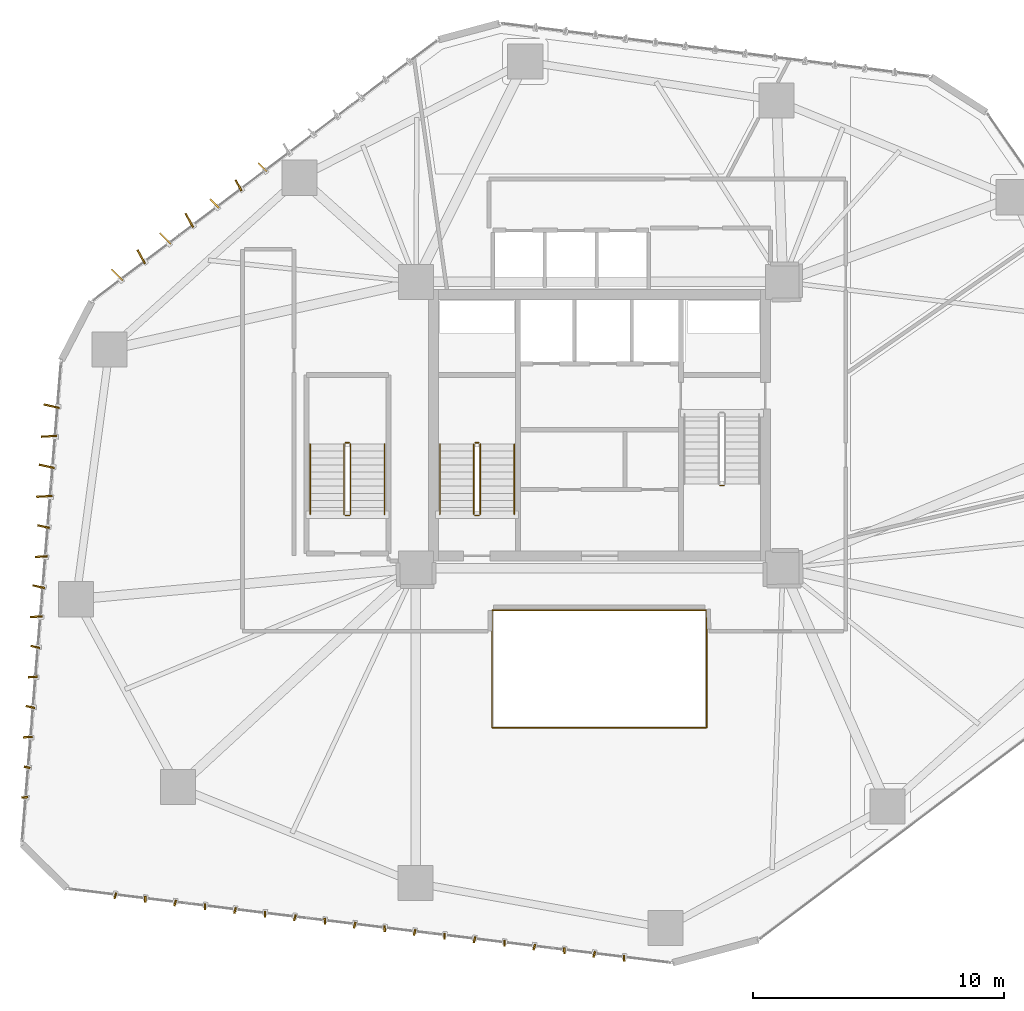
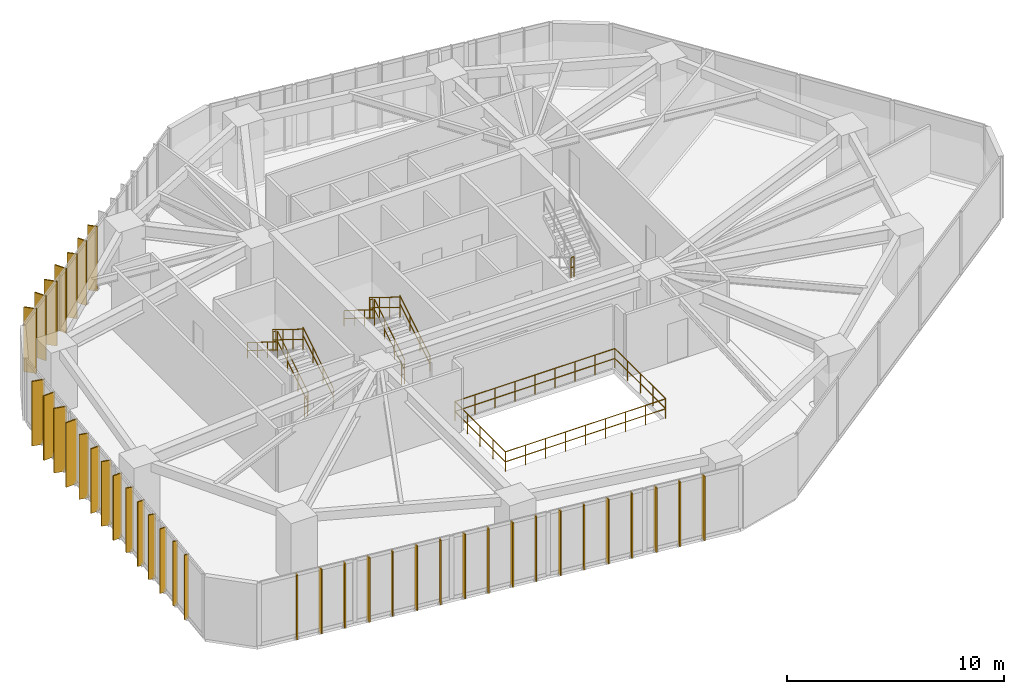
# One storey, part 21 of 23: 39 shading devices, 17 railings.
"""IFC4 building model written with IfcOpenShell, lengths in metres."""

from ifc_helpers import new_model, si_unit, direction, frame, origin, origin_2d, place, context, subcontext, project, spatial, rectangle, circle, extrude, source, transform, mapped, material, layer, layer_set, type_object, type_shapes, element, save


model = new_model("IFC4")

# Units and contexts
model_context = context("Model", 3, precision=1e-05, world=origin(), true_north=direction((0.0, 1.0)))
body_context = subcontext(model_context, "Body", "Model", "MODEL_VIEW")
ifc_project = project(units=[si_unit("LENGTHUNIT", "METRE"), si_unit("AREAUNIT", "SQUARE_METRE"), si_unit("VOLUMEUNIT", "CUBIC_METRE"), si_unit("PLANEANGLEUNIT", "RADIAN"), si_unit("MASSUNIT", "GRAM", prefix="KILO")], contexts=[model_context])

# Site, building, storey
site_placement = place(None, origin())
site = spatial("IfcSite", under=ifc_project, at=site_placement, CompositionType="ELEMENT")
building_placement = place(site_placement, origin())
building = spatial("IfcBuilding", under=site, at=building_placement, Name="Talar Marvaseh", CompositionType="ELEMENT")
storey_placement = place(building_placement, frame((0.0, 0.0, 69.60009765625)))
storey = spatial("IfcBuildingStorey", under=building, at=storey_placement, Name="L17", CompositionType="ELEMENT", Elevation=69.60009765625)

# Railings
ifc_material_1 = material(Name="Stainless Steel Grade 316", Category="steel")
railing_type_1 = type_object("IfcRailingType", Name="Brushed Stainless Wall Pitch Handrail 900", PredefinedType="HANDRAIL", material=ifc_material_1)
railing_1_placement = place(storey_placement, frame((22.610107421875, 27.64990234375, 0.172607421875)))
element("IfcRailing", 1, at=railing_1_placement, inside=storey, type_object=railing_type_1, Name="L17 ST-1 stair handrail 1", PredefinedType="HANDRAIL", context=body_context, shape_type="SweptSolid", body=[
    extrude(circle(Radius=0.02392578125, at=origin_2d()), frame((0.0, 0.0, 0.8759765625), z_axis=(0.0, 0.851089632645, 0.525020415988), x_axis=(-1.0, 0.0, 0.0)), (0.0, 0.0, 1.0), 3.2900390625),
    extrude(circle(Radius=0.02392578125, at=origin_2d()), frame((0.0, 0.0, 0.42578125), z_axis=(0.0, 0.851089632645, 0.525020415988), x_axis=(-1.0, 0.0, 0.0)), (0.0, 0.0, 1.0), 3.2900390625),
    extrude(circle(Radius=0.02099609375, at=origin_2d()), origin(), (0.0, 0.0, 1.0), 0.851806640625),
    extrude(circle(Radius=0.02099609375, at=origin_2d()), frame((0.0, 0.933349609375, 0.57568359375)), (0.0, 0.0, 1.0), 0.851806640625),
    extrude(circle(Radius=0.02099609375, at=origin_2d()), frame((0.0, 1.86669921875, 1.151611328125)), (0.0, 0.0, 1.0), 0.851806640625),
    extrude(circle(Radius=0.02099609375, at=origin_2d()), frame((0.0, 2.800048828125, 1.727294921875)), (0.0, 0.0, 1.0), 0.851806640625),
])
railing_2_placement = place(storey_placement, frame((19.64990234375, 30.449951171875, 2.072509765625)))
element("IfcRailing", 2, at=railing_2_placement, inside=storey, type_object=railing_type_1, Name="L17 ST-1 stair handrail 2", PredefinedType="HANDRAIL", context=body_context, shape_type="SweptSolid", body=[
    extrude(circle(Radius=0.02392578125, at=origin_2d()), frame((0.0, 0.0, 0.8759765625), z_axis=(0.0, -0.851089632645, 0.525020415988), x_axis=(1.0, 0.0, 0.0)), (0.0, 0.0, 1.0), 3.2900390625),
    extrude(circle(Radius=0.02392578125, at=origin_2d()), frame((0.0, 0.0, 0.42578125), z_axis=(0.0, -0.851089632645, 0.525020415988), x_axis=(1.0, 0.0, 0.0)), (0.0, 0.0, 1.0), 3.2900390625),
    extrude(circle(Radius=0.02099609375, at=origin_2d()), origin(), (0.0, 0.0, 1.0), 0.851806640625),
    extrude(circle(Radius=0.02099609375, at=origin_2d()), frame((0.0, -0.933349609375, 0.57568359375)), (0.0, 0.0, 1.0), 0.851806640625),
    extrude(circle(Radius=0.02099609375, at=origin_2d()), frame((0.0, -1.86669921875, 1.151611328125)), (0.0, 0.0, 1.0), 0.851806640625),
    extrude(circle(Radius=0.02099609375, at=origin_2d()), frame((0.0, -2.800048828125, 1.727294921875)), (0.0, 0.0, 1.0), 0.851806640625),
])
railing_3_placement = place(storey_placement, frame((17.449951171875, 27.64990234375, 0.172607421875)))
element("IfcRailing", 3, at=railing_3_placement, inside=storey, type_object=railing_type_1, Name="L17 ST-3 stair handrail 1", PredefinedType="HANDRAIL", context=body_context, shape_type="SweptSolid", body=[
    extrude(circle(Radius=0.02392578125, at=origin_2d()), frame((0.0, 0.0, 0.8759765625), z_axis=(0.0, 0.851089632645, 0.525020415988), x_axis=(-1.0, 0.0, 0.0)), (0.0, 0.0, 1.0), 3.2900390625),
    extrude(circle(Radius=0.02392578125, at=origin_2d()), frame((0.0, 0.0, 0.42578125), z_axis=(0.0, 0.851089632645, 0.525020415988), x_axis=(-1.0, 0.0, 0.0)), (0.0, 0.0, 1.0), 3.2900390625),
    extrude(circle(Radius=0.02099609375, at=origin_2d()), origin(), (0.0, 0.0, 1.0), 0.851806640625),
    extrude(circle(Radius=0.02099609375, at=origin_2d()), frame((0.0, 0.933349609375, 0.57568359375)), (0.0, 0.0, 1.0), 0.851806640625),
    extrude(circle(Radius=0.02099609375, at=origin_2d()), frame((0.0, 1.86669921875, 1.151611328125)), (0.0, 0.0, 1.0), 0.851806640625),
    extrude(circle(Radius=0.02099609375, at=origin_2d()), frame((0.0, 2.800048828125, 1.727294921875)), (0.0, 0.0, 1.0), 0.851806640625),
])
railing_4_placement = place(storey_placement, frame((14.489990234375, 30.449951171875, 2.072509765625)))
element("IfcRailing", 4, at=railing_4_placement, inside=storey, type_object=railing_type_1, Name="L17 ST-3 stair handrail 2", PredefinedType="HANDRAIL", context=body_context, shape_type="SweptSolid", body=[
    extrude(circle(Radius=0.02392578125, at=origin_2d()), frame((0.0, 0.0, 0.8759765625), z_axis=(0.0, -0.851089632645, 0.525020415988), x_axis=(1.0, 0.0, 0.0)), (0.0, 0.0, 1.0), 3.2900390625),
    extrude(circle(Radius=0.02392578125, at=origin_2d()), frame((0.0, 0.0, 0.42578125), z_axis=(0.0, -0.851089632645, 0.525020415988), x_axis=(1.0, 0.0, 0.0)), (0.0, 0.0, 1.0), 3.2900390625),
    extrude(circle(Radius=0.02099609375, at=origin_2d()), origin(), (0.0, 0.0, 1.0), 0.851806640625),
    extrude(circle(Radius=0.02099609375, at=origin_2d()), frame((0.0, -0.933349609375, 0.57568359375)), (0.0, 0.0, 1.0), 0.851806640625),
    extrude(circle(Radius=0.02099609375, at=origin_2d()), frame((0.0, -1.86669921875, 1.151611328125)), (0.0, 0.0, 1.0), 0.851806640625),
    extrude(circle(Radius=0.02099609375, at=origin_2d()), frame((0.0, -2.800048828125, 1.727294921875)), (0.0, 0.0, 1.0), 0.851806640625),
])
ifc_material_2 = material(Name="Tempered Clear Glass", Category="glass")
railing_type_2 = type_object("IfcRailingType", Name="Interior Atrium Edge Balustrade 1120", PredefinedType="BALUSTRADE", material=ifc_material_2)
railing_5_placement = place(storey_placement, frame((21.729736328125, 19.16162109375, 0.0)))
element("IfcRailing", 5, at=railing_5_placement, inside=storey, type_object=railing_type_2, Name="L17 Internal Daylight Atrium Balustrade 1", PredefinedType="BALUSTRADE", context=body_context, shape_type="SweptSolid", body=[
    extrude(circle(Radius=0.02392578125, at=origin_2d()), frame((0.0, 0.0, 1.09619140625), z_axis=(1.0, 0.0, 0.0), x_axis=(0.0, 1.0, 0.0)), (0.0, 0.0, 1.0), 8.54052734375),
    extrude(circle(Radius=0.02392578125, at=origin_2d()), frame((0.0, 0.0, 0.5361328125), z_axis=(1.0, 0.0, 0.0), x_axis=(0.0, 1.0, 0.0)), (0.0, 0.0, 1.0), 8.54052734375),
    extrude(circle(Radius=0.02099609375, at=origin_2d()), origin(), (0.0, 0.0, 1.0), 1.072021484375),
    extrude(circle(Radius=0.02099609375, at=origin_2d()), frame((1.067626953125, 0.0, 0.0)), (0.0, 0.0, 1.0), 1.072021484375),
    extrude(circle(Radius=0.02099609375, at=origin_2d()), frame((2.13525390625, 0.0, 0.0)), (0.0, 0.0, 1.0), 1.072021484375),
    extrude(circle(Radius=0.02099609375, at=origin_2d()), frame((3.20263671875, 0.0, 0.0)), (0.0, 0.0, 1.0), 1.072021484375),
    extrude(circle(Radius=0.02099609375, at=origin_2d()), frame((4.270263671875, 0.0, 0.0)), (0.0, 0.0, 1.0), 1.072021484375),
    extrude(circle(Radius=0.02099609375, at=origin_2d()), frame((5.337890625, 0.0, 0.0)), (0.0, 0.0, 1.0), 1.072021484375),
    extrude(circle(Radius=0.02099609375, at=origin_2d()), frame((6.4052734375, 0.0, 0.0)), (0.0, 0.0, 1.0), 1.072021484375),
    extrude(circle(Radius=0.02099609375, at=origin_2d()), frame((7.472900390625, 0.0, 0.0)), (0.0, 0.0, 1.0), 1.072021484375),
    extrude(circle(Radius=0.02099609375, at=origin_2d()), frame((8.54052734375, 0.0, 0.0)), (0.0, 0.0, 1.0), 1.072021484375),
])
railing_6_placement = place(storey_placement, frame((30.270263671875, 19.16162109375, 0.0)))
element("IfcRailing", 6, at=railing_6_placement, inside=storey, type_object=railing_type_2, Name="L17 Internal Daylight Atrium Balustrade 2", PredefinedType="BALUSTRADE", context=body_context, shape_type="SweptSolid", body=[
    extrude(circle(Radius=0.02392578125, at=origin_2d()), frame((0.0, 0.0, 1.09619140625), z_axis=(0.0, 1.0, 0.0), x_axis=(-1.0, 0.0, 0.0)), (0.0, 0.0, 1.0), 4.6767578125),
    extrude(circle(Radius=0.02392578125, at=origin_2d()), frame((0.0, 0.0, 0.5361328125), z_axis=(0.0, 1.0, 0.0), x_axis=(-1.0, 0.0, 0.0)), (0.0, 0.0, 1.0), 4.6767578125),
    extrude(circle(Radius=0.02099609375, at=origin_2d()), origin(), (0.0, 0.0, 1.0), 1.072021484375),
    extrude(circle(Radius=0.02099609375, at=origin_2d()), frame((0.0, 1.169189453125, 0.0)), (0.0, 0.0, 1.0), 1.072021484375),
    extrude(circle(Radius=0.02099609375, at=origin_2d()), frame((0.0, 2.33837890625, 0.0)), (0.0, 0.0, 1.0), 1.072021484375),
    extrude(circle(Radius=0.02099609375, at=origin_2d()), frame((0.0, 3.507568359375, 0.0)), (0.0, 0.0, 1.0), 1.072021484375),
    extrude(circle(Radius=0.02099609375, at=origin_2d()), frame((0.0, 4.6767578125, 0.0)), (0.0, 0.0, 1.0), 1.072021484375),
])
railing_7_placement = place(storey_placement, frame((30.270263671875, 23.83837890625, 0.0)))
element("IfcRailing", 7, at=railing_7_placement, inside=storey, type_object=railing_type_2, Name="L17 Internal Daylight Atrium Balustrade 3", PredefinedType="BALUSTRADE", context=body_context, shape_type="SweptSolid", body=[
    extrude(circle(Radius=0.02392578125, at=origin_2d()), frame((0.0, 0.0, 1.09619140625), z_axis=(-1.0, 0.0, 0.0), x_axis=(0.0, -1.0, 0.0)), (0.0, 0.0, 1.0), 8.54052734375),
    extrude(circle(Radius=0.02392578125, at=origin_2d()), frame((0.0, 0.0, 0.5361328125), z_axis=(-1.0, 0.0, 0.0), x_axis=(0.0, -1.0, 0.0)), (0.0, 0.0, 1.0), 8.54052734375),
    extrude(circle(Radius=0.02099609375, at=origin_2d()), origin(), (0.0, 0.0, 1.0), 1.072021484375),
    extrude(circle(Radius=0.02099609375, at=origin_2d()), frame((-1.067626953125, 0.0, 0.0)), (0.0, 0.0, 1.0), 1.072021484375),
    extrude(circle(Radius=0.02099609375, at=origin_2d()), frame((-2.13525390625, 0.0, 0.0)), (0.0, 0.0, 1.0), 1.072021484375),
    extrude(circle(Radius=0.02099609375, at=origin_2d()), frame((-3.20263671875, 0.0, 0.0)), (0.0, 0.0, 1.0), 1.072021484375),
    extrude(circle(Radius=0.02099609375, at=origin_2d()), frame((-4.270263671875, 0.0, 0.0)), (0.0, 0.0, 1.0), 1.072021484375),
    extrude(circle(Radius=0.02099609375, at=origin_2d()), frame((-5.337890625, 0.0, 0.0)), (0.0, 0.0, 1.0), 1.072021484375),
    extrude(circle(Radius=0.02099609375, at=origin_2d()), frame((-6.4052734375, 0.0, 0.0)), (0.0, 0.0, 1.0), 1.072021484375),
    extrude(circle(Radius=0.02099609375, at=origin_2d()), frame((-7.472900390625, 0.0, 0.0)), (0.0, 0.0, 1.0), 1.072021484375),
    extrude(circle(Radius=0.02099609375, at=origin_2d()), frame((-8.54052734375, 0.0, 0.0)), (0.0, 0.0, 1.0), 1.072021484375),
])
railing_8_placement = place(storey_placement, frame((21.729736328125, 23.83837890625, 0.0)))
element("IfcRailing", 8, at=railing_8_placement, inside=storey, type_object=railing_type_2, Name="L17 Internal Daylight Atrium Balustrade 4", PredefinedType="BALUSTRADE", context=body_context, shape_type="SweptSolid", body=[
    extrude(circle(Radius=0.02392578125, at=origin_2d()), frame((0.0, 0.0, 1.09619140625), z_axis=(0.0, -1.0, 0.0), x_axis=(1.0, 0.0, 0.0)), (0.0, 0.0, 1.0), 4.6767578125),
    extrude(circle(Radius=0.02392578125, at=origin_2d()), frame((0.0, 0.0, 0.5361328125), z_axis=(0.0, -1.0, 0.0), x_axis=(1.0, 0.0, 0.0)), (0.0, 0.0, 1.0), 4.6767578125),
    extrude(circle(Radius=0.02099609375, at=origin_2d()), origin(), (0.0, 0.0, 1.0), 1.072021484375),
    extrude(circle(Radius=0.02099609375, at=origin_2d()), frame((0.0, -1.169189453125, 0.0)), (0.0, 0.0, 1.0), 1.072021484375),
    extrude(circle(Radius=0.02099609375, at=origin_2d()), frame((0.0, -2.33837890625, 0.0)), (0.0, 0.0, 1.0), 1.072021484375),
    extrude(circle(Radius=0.02099609375, at=origin_2d()), frame((0.0, -3.507568359375, 0.0)), (0.0, 0.0, 1.0), 1.072021484375),
    extrude(circle(Radius=0.02099609375, at=origin_2d()), frame((0.0, -4.6767578125, 0.0)), (0.0, 0.0, 1.0), 1.072021484375),
])
railing_type_3 = type_object("IfcRailingType", Name="Painted Steel Core Stair Well Guardrail 1150", PredefinedType="GUARDRAIL", material=ifc_material_1)
railing_9_placement = place(storey_placement, frame((21.260009765625, 27.64990234375, 0.172607421875)))
element("IfcRailing", 9, at=railing_9_placement, inside=storey, type_object=railing_type_3, Name="L17 ST-1 stair guard 1", PredefinedType="GUARDRAIL", context=body_context, shape_type="SweptSolid", body=[
    extrude(circle(Radius=0.02392578125, at=origin_2d()), frame((0.0, 0.0, 1.1259765625), z_axis=(0.0, 0.851089632645, 0.525020415988), x_axis=(-1.0, 0.0, 0.0)), (0.0, 0.0, 1.0), 3.2900390625),
    extrude(circle(Radius=0.02392578125, at=origin_2d()), frame((0.0, 0.0, 0.55078125), z_axis=(0.0, 0.851089632645, 0.525020415988), x_axis=(-1.0, 0.0, 0.0)), (0.0, 0.0, 1.0), 3.2900390625),
    extrude(circle(Radius=0.02099609375, at=origin_2d()), origin(), (0.0, 0.0, 1.0), 1.101806640625),
    extrude(circle(Radius=0.02099609375, at=origin_2d()), frame((0.0, 0.933349609375, 0.57568359375)), (0.0, 0.0, 1.0), 1.101806640625),
    extrude(circle(Radius=0.02099609375, at=origin_2d()), frame((0.0, 1.86669921875, 1.151611328125)), (0.0, 0.0, 1.0), 1.101806640625),
    extrude(circle(Radius=0.02099609375, at=origin_2d()), frame((0.0, 2.800048828125, 1.727294921875)), (0.0, 0.0, 1.0), 1.101806640625),
])
railing_10_placement = place(storey_placement, frame((21.2099609375, 30.5, 1.89990234375)))
element("IfcRailing", 10, at=railing_10_placement, inside=storey, type_object=railing_type_3, Name="L17 ST-1 stair guard 2", PredefinedType="GUARDRAIL", context=body_context, shape_type="SweptSolid", body=[
    extrude(circle(Radius=0.02392578125, at=origin_2d()), frame((0.0, 0.0, 1.1259765625), z_axis=(-1.0, 0.0, 0.0), x_axis=(0.0, -1.0, 0.0)), (0.0, 0.0, 1.0), 0.159912109375),
    extrude(circle(Radius=0.02392578125, at=origin_2d()), frame((0.0, 0.0, 0.55078125), z_axis=(-1.0, 0.0, 0.0), x_axis=(0.0, -1.0, 0.0)), (0.0, 0.0, 1.0), 0.159912109375),
    extrude(circle(Radius=0.02099609375, at=origin_2d()), origin(), (0.0, 0.0, 1.0), 1.101806640625),
    extrude(circle(Radius=0.02099609375, at=origin_2d()), frame((-0.159912109375, 0.0, 0.0)), (0.0, 0.0, 1.0), 1.101806640625),
])
railing_11_placement = place(storey_placement, frame((21.0, 30.449951171875, 2.072509765625)))
element("IfcRailing", 11, at=railing_11_placement, inside=storey, type_object=railing_type_3, Name="L17 ST-1 stair guard 3", PredefinedType="GUARDRAIL", context=body_context, shape_type="SweptSolid", body=[
    extrude(circle(Radius=0.02392578125, at=origin_2d()), frame((0.0, 0.0, 1.1259765625), z_axis=(0.0, -0.851089632645, 0.525020415988), x_axis=(1.0, 0.0, 0.0)), (0.0, 0.0, 1.0), 3.2900390625),
    extrude(circle(Radius=0.02392578125, at=origin_2d()), frame((0.0, 0.0, 0.55078125), z_axis=(0.0, -0.851089632645, 0.525020415988), x_axis=(1.0, 0.0, 0.0)), (0.0, 0.0, 1.0), 3.2900390625),
    extrude(circle(Radius=0.02099609375, at=origin_2d()), origin(), (0.0, 0.0, 1.0), 1.101806640625),
    extrude(circle(Radius=0.02099609375, at=origin_2d()), frame((0.0, -0.933349609375, 0.57568359375)), (0.0, 0.0, 1.0), 1.101806640625),
    extrude(circle(Radius=0.02099609375, at=origin_2d()), frame((0.0, -1.86669921875, 1.151611328125)), (0.0, 0.0, 1.0), 1.101806640625),
    extrude(circle(Radius=0.02099609375, at=origin_2d()), frame((0.0, -2.800048828125, 1.727294921875)), (0.0, 0.0, 1.0), 1.101806640625),
])
railing_12_placement = place(storey_placement, frame((21.2099609375, 27.60009765625, 0.0)))
element("IfcRailing", 12, at=railing_12_placement, inside=storey, type_object=railing_type_3, Name="L17 ST-1 stair guard 4", PredefinedType="GUARDRAIL", context=body_context, shape_type="SweptSolid", body=[
    extrude(circle(Radius=0.02392578125, at=origin_2d()), frame((0.0, 0.0, 1.1259765625), z_axis=(-1.0, 0.0, 0.0), x_axis=(0.0, -1.0, 0.0)), (0.0, 0.0, 1.0), 0.159912109375),
    extrude(circle(Radius=0.02392578125, at=origin_2d()), frame((0.0, 0.0, 0.55078125), z_axis=(-1.0, 0.0, 0.0), x_axis=(0.0, -1.0, 0.0)), (0.0, 0.0, 1.0), 0.159912109375),
    extrude(circle(Radius=0.02099609375, at=origin_2d()), origin(), (0.0, 0.0, 1.0), 1.101806640625),
    extrude(circle(Radius=0.02099609375, at=origin_2d()), frame((-0.159912109375, 0.0, 0.0)), (0.0, 0.0, 1.0), 1.101806640625),
])
railing_13_placement = place(storey_placement, frame((30.7900390625, 28.800048828125, 1.89990234375)))
element("IfcRailing", 13, at=railing_13_placement, inside=storey, type_object=railing_type_3, Name="L17 ST-2 stair guard 2", PredefinedType="GUARDRAIL", context=body_context, shape_type="SweptSolid", body=[
    extrude(circle(Radius=0.02392578125, at=origin_2d()), frame((0.0, 0.0, 1.1259765625), z_axis=(1.0, 0.0, 0.0), x_axis=(0.0, 1.0, 0.0)), (0.0, 0.0, 1.0), 0.159912109375),
    extrude(circle(Radius=0.02392578125, at=origin_2d()), frame((0.0, 0.0, 0.55078125), z_axis=(1.0, 0.0, 0.0), x_axis=(0.0, 1.0, 0.0)), (0.0, 0.0, 1.0), 0.159912109375),
    extrude(circle(Radius=0.02099609375, at=origin_2d()), origin(), (0.0, 0.0, 1.0), 1.101806640625),
    extrude(circle(Radius=0.02099609375, at=origin_2d()), frame((0.159912109375, 0.0, 0.0)), (0.0, 0.0, 1.0), 1.101806640625),
])
railing_14_placement = place(storey_placement, frame((16.10009765625, 27.64990234375, 0.172607421875)))
element("IfcRailing", 14, at=railing_14_placement, inside=storey, type_object=railing_type_3, Name="L17 ST-3 stair guard 1", PredefinedType="GUARDRAIL", context=body_context, shape_type="SweptSolid", body=[
    extrude(circle(Radius=0.02392578125, at=origin_2d()), frame((0.0, 0.0, 1.1259765625), z_axis=(0.0, 0.851089632645, 0.525020415988), x_axis=(-1.0, 0.0, 0.0)), (0.0, 0.0, 1.0), 3.2900390625),
    extrude(circle(Radius=0.02392578125, at=origin_2d()), frame((0.0, 0.0, 0.55078125), z_axis=(0.0, 0.851089632645, 0.525020415988), x_axis=(-1.0, 0.0, 0.0)), (0.0, 0.0, 1.0), 3.2900390625),
    extrude(circle(Radius=0.02099609375, at=origin_2d()), origin(), (0.0, 0.0, 1.0), 1.101806640625),
    extrude(circle(Radius=0.02099609375, at=origin_2d()), frame((0.0, 0.933349609375, 0.57568359375)), (0.0, 0.0, 1.0), 1.101806640625),
    extrude(circle(Radius=0.02099609375, at=origin_2d()), frame((0.0, 1.86669921875, 1.151611328125)), (0.0, 0.0, 1.0), 1.101806640625),
    extrude(circle(Radius=0.02099609375, at=origin_2d()), frame((0.0, 2.800048828125, 1.727294921875)), (0.0, 0.0, 1.0), 1.101806640625),
])
railing_15_placement = place(storey_placement, frame((16.050048828125, 30.5, 1.89990234375)))
element("IfcRailing", 15, at=railing_15_placement, inside=storey, type_object=railing_type_3, Name="L17 ST-3 stair guard 2", PredefinedType="GUARDRAIL", context=body_context, shape_type="SweptSolid", body=[
    extrude(circle(Radius=0.02392578125, at=origin_2d()), frame((0.0, 0.0, 1.1259765625), z_axis=(-1.0, 0.0, 0.0), x_axis=(0.0, -1.0, 0.0)), (0.0, 0.0, 1.0), 0.16015625),
    extrude(circle(Radius=0.02392578125, at=origin_2d()), frame((0.0, 0.0, 0.55078125), z_axis=(-1.0, 0.0, 0.0), x_axis=(0.0, -1.0, 0.0)), (0.0, 0.0, 1.0), 0.16015625),
    extrude(circle(Radius=0.02099609375, at=origin_2d()), origin(), (0.0, 0.0, 1.0), 1.101806640625),
    extrude(circle(Radius=0.02099609375, at=origin_2d()), frame((-0.16015625, 0.0, 0.0)), (0.0, 0.0, 1.0), 1.101806640625),
])
railing_16_placement = place(storey_placement, frame((15.840087890625, 30.449951171875, 2.072509765625)))
element("IfcRailing", 16, at=railing_16_placement, inside=storey, type_object=railing_type_3, Name="L17 ST-3 stair guard 3", PredefinedType="GUARDRAIL", context=body_context, shape_type="SweptSolid", body=[
    extrude(circle(Radius=0.02392578125, at=origin_2d()), frame((0.0, 0.0, 1.1259765625), z_axis=(0.0, -0.851089632645, 0.525020415988), x_axis=(1.0, 0.0, 0.0)), (0.0, 0.0, 1.0), 3.2900390625),
    extrude(circle(Radius=0.02392578125, at=origin_2d()), frame((0.0, 0.0, 0.55078125), z_axis=(0.0, -0.851089632645, 0.525020415988), x_axis=(1.0, 0.0, 0.0)), (0.0, 0.0, 1.0), 3.2900390625),
    extrude(circle(Radius=0.02099609375, at=origin_2d()), origin(), (0.0, 0.0, 1.0), 1.101806640625),
    extrude(circle(Radius=0.02099609375, at=origin_2d()), frame((0.0, -0.933349609375, 0.57568359375)), (0.0, 0.0, 1.0), 1.101806640625),
    extrude(circle(Radius=0.02099609375, at=origin_2d()), frame((0.0, -1.86669921875, 1.151611328125)), (0.0, 0.0, 1.0), 1.101806640625),
    extrude(circle(Radius=0.02099609375, at=origin_2d()), frame((0.0, -2.800048828125, 1.727294921875)), (0.0, 0.0, 1.0), 1.101806640625),
])
railing_17_placement = place(storey_placement, frame((16.050048828125, 27.60009765625, 0.0)))
element("IfcRailing", 17, at=railing_17_placement, inside=storey, type_object=railing_type_3, Name="L17 ST-3 stair guard 4", PredefinedType="GUARDRAIL", context=body_context, shape_type="SweptSolid", body=[
    extrude(circle(Radius=0.02392578125, at=origin_2d()), frame((0.0, 0.0, 1.1259765625), z_axis=(-1.0, 0.0, 0.0), x_axis=(0.0, -1.0, 0.0)), (0.0, 0.0, 1.0), 0.16015625),
    extrude(circle(Radius=0.02392578125, at=origin_2d()), frame((0.0, 0.0, 0.55078125), z_axis=(-1.0, 0.0, 0.0), x_axis=(0.0, -1.0, 0.0)), (0.0, 0.0, 1.0), 0.16015625),
    extrude(circle(Radius=0.02099609375, at=origin_2d()), origin(), (0.0, 0.0, 1.0), 1.101806640625),
    extrude(circle(Radius=0.02099609375, at=origin_2d()), frame((-0.16015625, 0.0, 0.0)), (0.0, 0.0, 1.0), 1.101806640625),
])

# Shading devices
ifc_material_3 = material(Name="Anodised Champagne Bronze Aluminium", Category="aluminium")
ifc_layer_1 = layer(ifc_material_3, 0.06494140625)
ifc_layer_set_1 = layer_set([ifc_layer_1], Name="Anodised Champagne Bronze Aluminium")
shading_device_type_1 = type_object("IfcShadingDeviceType", Name="Sawtooth Champagne Bronze Vertical Fin 240", PredefinedType="USERDEFINED", material=ifc_layer_set_1)
shared_shape_1 = source(origin(), body_context, "Body", "SweptSolid", [
    extrude(rectangle(XDim=0.239990234375, YDim=0.06494140625, at=origin_2d()), origin(), (0.0, 0.0, 1.0), 3.639892578125),
])
type_shapes(shading_device_type_1, [shared_shape_1])
for number, where, z_axis, x_axis, name in (
    (18, (3.12353515625, 16.390380859375, -0.1201171875), (0.0, 0.0, 1.0), (-0.99829120239, -0.058435222518, 0.0), "L17 Sawtooth Vertical Solar Fin"),
    (19, (3.220947265625, 17.586181640625, -0.1201171875), (0.0, 0.0, 1.0), (-0.975726024471, 0.218994806262, 0.0), "L17 Sawtooth Vertical Solar Fin"),
    (20, (26.983642578125, 9.9912109375, -0.1201171875), (0.0, 0.0, 1.0), (0.017626912514, -0.999844633908, 0.0), "L17 Sawtooth Vertical Solar Fin"),
    (21, (25.79248046875, 10.13720703125, -0.1201171875), (0.0, 0.0, 1.0), (-0.258650455301, -0.965970984022, 0.0), "L17 Sawtooth Vertical Solar Fin"),
    (22, (24.6015625, 10.283203125, -0.1201171875), (0.0, 0.0, 1.0), (0.017626912514, -0.999844633908, 0.0), "L17 Sawtooth Vertical Solar Fin"),
    (23, (23.410400390625, 10.42919921875, -0.1201171875), (0.0, 0.0, 1.0), (-0.258650455301, -0.965970984022, 0.0), "L17 Sawtooth Vertical Solar Fin"),
    (24, (22.219482421875, 10.575439453125, -0.1201171875), (0.0, 0.0, 1.0), (0.017626912514, -0.999844633908, 0.0), "L17 Sawtooth Vertical Solar Fin"),
    (25, (21.0283203125, 10.721435546875, -0.1201171875), (0.0, 0.0, 1.0), (-0.258650455301, -0.965970984022, 0.0), "L17 Sawtooth Vertical Solar Fin"),
    (26, (19.837158203125, 10.867431640625, -0.1201171875), (0.0, 0.0, 1.0), (0.017626912514, -0.999844633908, 0.0), "L17 Sawtooth Vertical Solar Fin"),
    (27, (18.64599609375, 11.013427734375, -0.1201171875), (0.0, 0.0, 1.0), (-0.258650455301, -0.965970984022, 0.0), "L17 Sawtooth Vertical Solar Fin"),
    (28, (17.455078125, 11.15966796875, -0.1201171875), (0.0, 0.0, 1.0), (0.017626912514, -0.999844633908, 0.0), "L17 Sawtooth Vertical Solar Fin"),
    (29, (16.263916015625, 11.3056640625, -0.1201171875), (0.0, 0.0, 1.0), (-0.258650455301, -0.965970984022, 0.0), "L17 Sawtooth Vertical Solar Fin"),
    (30, (15.072998046875, 11.45166015625, -0.1201171875), (0.0, 0.0, 1.0), (0.017626912514, -0.999844633908, 0.0), "L17 Sawtooth Vertical Solar Fin"),
    (31, (13.8818359375, 11.597900390625, -0.1201171875), (0.0, 0.0, 1.0), (-0.258650455301, -0.965970984022, 0.0), "L17 Sawtooth Vertical Solar Fin"),
    (32, (12.690673828125, 11.743896484375, -0.1201171875), (0.0, 0.0, 1.0), (0.017626912514, -0.999844633908, 0.0), "L17 Sawtooth Vertical Solar Fin"),
    (33, (11.499755859375, 11.889892578125, -0.1201171875), (0.0, 0.0, 1.0), (-0.258650455301, -0.965970984022, 0.0), "L17 Sawtooth Vertical Solar Fin"),
    (34, (10.30859375, 12.035888671875, -0.1201171875), (0.0, 0.0, 1.0), (0.017626912514, -0.999844633908, 0.0), "L17 Sawtooth Vertical Solar Fin"),
    (35, (9.117431640625, 12.181884765625, -0.1201171875), (0.0, 0.0, 1.0), (-0.258650455301, -0.965970984022, 0.0), "L17 Sawtooth Vertical Solar Fin"),
    (36, (7.926513671875, 12.327880859375, -0.1201171875), (0.0, 0.0, 1.0), (0.017626912514, -0.999844633908, 0.0), "L17 Sawtooth Vertical Solar Fin"),
    (37, (6.7353515625, 12.47412109375, -0.1201171875), (0.0, 0.0, 1.0), (-0.258650455301, -0.965970984022, 0.0), "L17 Sawtooth Vertical Solar Fin"),
):
    element("IfcShadingDevice", number, at=place(storey_placement, frame(where, z_axis=z_axis, x_axis=x_axis)), inside=storey, type_object=shading_device_type_1, Name=name, ObjectType="FIN", PredefinedType="USERDEFINED", context=body_context, shape_type="MappedRepresentation", body=[
        mapped(shared_shape_1, transform((0.0, 0.0, 0.0), x_axis=(1.0, 0.0, 0.0), y_axis=(0.0, 1.0, 0.0), z_axis=(0.0, 0.0, 1.0), scale=1.0)),
    ])
ifc_layer_2 = layer(ifc_material_3, 0.06494140625)
ifc_layer_set_2 = layer_set([ifc_layer_2], Name="Anodised Champagne Bronze Aluminium")
shading_device_type_2 = type_object("IfcShadingDeviceType", Name="Sawtooth Champagne Bronze Vertical Fin 360", PredefinedType="USERDEFINED", material=ifc_layer_set_2)
shared_shape_2 = source(origin(), body_context, "Body", "SweptSolid", [
    extrude(rectangle(XDim=0.360107421875, YDim=0.06494140625, at=origin_2d()), origin(), (0.0, 0.0, 1.0), 3.639892578125),
])
type_shapes(shading_device_type_2, [shared_shape_2])
for number, where, z_axis, x_axis, name in (
    (38, (3.258544921875, 18.787109375, -0.1201171875), (0.0, 0.0, 1.0), (-0.99829120239, -0.058435222518, 0.0), "L17 Sawtooth Vertical Solar Fin"),
    (39, (3.35595703125, 19.9833984375, -0.1201171875), (0.0, 0.0, 1.0), (-0.975726024471, 0.218994806262, 0.0), "L17 Sawtooth Vertical Solar Fin"),
    (40, (3.453125, 21.17919921875, -0.1201171875), (0.0, 0.0, 1.0), (-0.99829120239, -0.058435222518, 0.0), "L17 Sawtooth Vertical Solar Fin"),
    (41, (3.550537109375, 22.37548828125, -0.1201171875), (0.0, 0.0, 1.0), (-0.975726024471, 0.218994806262, 0.0), "L17 Sawtooth Vertical Solar Fin"),
):
    element("IfcShadingDevice", number, at=place(storey_placement, frame(where, z_axis=z_axis, x_axis=x_axis)), inside=storey, type_object=shading_device_type_2, Name=name, ObjectType="FIN", PredefinedType="USERDEFINED", context=body_context, shape_type="MappedRepresentation", body=[
        mapped(shared_shape_2, transform((0.0, 0.0, 0.0), x_axis=(1.0, 0.0, 0.0), y_axis=(0.0, 1.0, 0.0), z_axis=(0.0, 0.0, 1.0), scale=1.0)),
    ])
ifc_layer_3 = layer(ifc_material_3, 0.06494140625)
ifc_layer_set_3 = layer_set([ifc_layer_3], Name="Anodised Champagne Bronze Aluminium")
shading_device_type_3 = type_object("IfcShadingDeviceType", Name="Sawtooth Champagne Bronze Vertical Fin 480", PredefinedType="USERDEFINED", material=ifc_layer_set_3)
shared_shape_3 = source(origin(), body_context, "Body", "SweptSolid", [
    extrude(rectangle(XDim=0.47998046875, YDim=0.06494140625, at=origin_2d()), origin(), (0.0, 0.0, 1.0), 3.639892578125),
])
type_shapes(shading_device_type_3, [shared_shape_3])
for number, where, z_axis, x_axis, name in (
    (42, (3.588134765625, 23.576416015625, -0.1201171875), (0.0, 0.0, 1.0), (-0.99829120239, -0.058435222518, 0.0), "L17 Sawtooth Vertical Solar Fin"),
    (43, (3.685546875, 24.772216796875, -0.1201171875), (0.0, 0.0, 1.0), (-0.975726024471, 0.218994806262, 0.0), "L17 Sawtooth Vertical Solar Fin"),
    (44, (3.782958984375, 25.968505859375, -0.1201171875), (0.0, 0.0, 1.0), (-0.99829120239, -0.058435222518, 0.0), "L17 Sawtooth Vertical Solar Fin"),
    (45, (3.880126953125, 27.164306640625, -0.1201171875), (0.0, 0.0, 1.0), (-0.975726024471, 0.218994806262, 0.0), "L17 Sawtooth Vertical Solar Fin"),
    (46, (10.679443359375, 40.01806640625, -0.1201171875), (0.0, 0.0, 1.0), (-0.707970147154, 0.706242359774, 0.0), "L17 Sawtooth Vertical Solar Fin"),
    (47, (11.636962890625, 40.741455078125, -0.1201171875), (0.0, 0.0, 1.0), (-0.485877807712, 0.874026747859, 0.0), "L17 Sawtooth Vertical Solar Fin"),
    (48, (12.594482421875, 41.464599609375, -0.1201171875), (0.0, 0.0, 1.0), (-0.707970147154, 0.706242359774, 0.0), "L17 Sawtooth Vertical Solar Fin"),
):
    element("IfcShadingDevice", number, at=place(storey_placement, frame(where, z_axis=z_axis, x_axis=x_axis)), inside=storey, type_object=shading_device_type_3, Name=name, ObjectType="FIN", PredefinedType="USERDEFINED", context=body_context, shape_type="MappedRepresentation", body=[
        mapped(shared_shape_3, transform((0.0, 0.0, 0.0), x_axis=(1.0, 0.0, 0.0), y_axis=(0.0, 1.0, 0.0), z_axis=(0.0, 0.0, 1.0), scale=1.0)),
    ])
ifc_layer_4 = layer(ifc_material_3, 0.06494140625)
ifc_layer_set_4 = layer_set([ifc_layer_4], Name="Anodised Champagne Bronze Aluminium")
shading_device_type_4 = type_object("IfcShadingDeviceType", Name="Sawtooth Champagne Bronze Vertical Fin 620", PredefinedType="USERDEFINED", material=ifc_layer_set_4)
shared_shape_4 = source(origin(), body_context, "Body", "SweptSolid", [
    extrude(rectangle(XDim=0.6201171875, YDim=0.06494140625, at=origin_2d()), origin(), (0.0, 0.0, 1.0), 3.639892578125),
])
type_shapes(shading_device_type_4, [shared_shape_4])
for number, where, z_axis, x_axis, name in (
    (49, (3.90771484375, 28.3662109375, -0.1201171875), (0.0, 0.0, 1.0), (-0.99829120239, -0.058435222518, 0.0), "L17 Sawtooth Vertical Solar Fin"),
    (50, (4.005126953125, 29.562255859375, -0.1201171875), (0.0, 0.0, 1.0), (-0.975726024471, 0.218994806262, 0.0), "L17 Sawtooth Vertical Solar Fin"),
    (51, (4.1025390625, 30.75830078125, -0.1201171875), (0.0, 0.0, 1.0), (-0.99829120239, -0.058435222518, 0.0), "L17 Sawtooth Vertical Solar Fin"),
    (52, (4.199951171875, 31.954345703125, -0.1201171875), (0.0, 0.0, 1.0), (-0.975726024471, 0.218994806262, 0.0), "L17 Sawtooth Vertical Solar Fin"),
    (53, (6.80712890625, 37.1806640625, -0.1201171875), (0.0, 0.0, 1.0), (-0.707970147154, 0.706242359774, 0.0), "L17 Sawtooth Vertical Solar Fin"),
    (54, (7.7646484375, 37.904052734375, -0.1201171875), (0.0, 0.0, 1.0), (-0.485877807712, 0.874026747859, 0.0), "L17 Sawtooth Vertical Solar Fin"),
    (55, (8.72216796875, 38.627197265625, -0.1201171875), (0.0, 0.0, 1.0), (-0.707970147154, 0.706242359774, 0.0), "L17 Sawtooth Vertical Solar Fin"),
    (56, (9.6796875, 39.3505859375, -0.1201171875), (0.0, 0.0, 1.0), (-0.485877807712, 0.874026747859, 0.0), "L17 Sawtooth Vertical Solar Fin"),
):
    element("IfcShadingDevice", number, at=place(storey_placement, frame(where, z_axis=z_axis, x_axis=x_axis)), inside=storey, type_object=shading_device_type_4, Name=name, ObjectType="FIN", PredefinedType="USERDEFINED", context=body_context, shape_type="MappedRepresentation", body=[
        mapped(shared_shape_4, transform((0.0, 0.0, 0.0), x_axis=(1.0, 0.0, 0.0), y_axis=(0.0, 1.0, 0.0), z_axis=(0.0, 0.0, 1.0), scale=1.0)),
    ])

save(model, "model.ifc")
